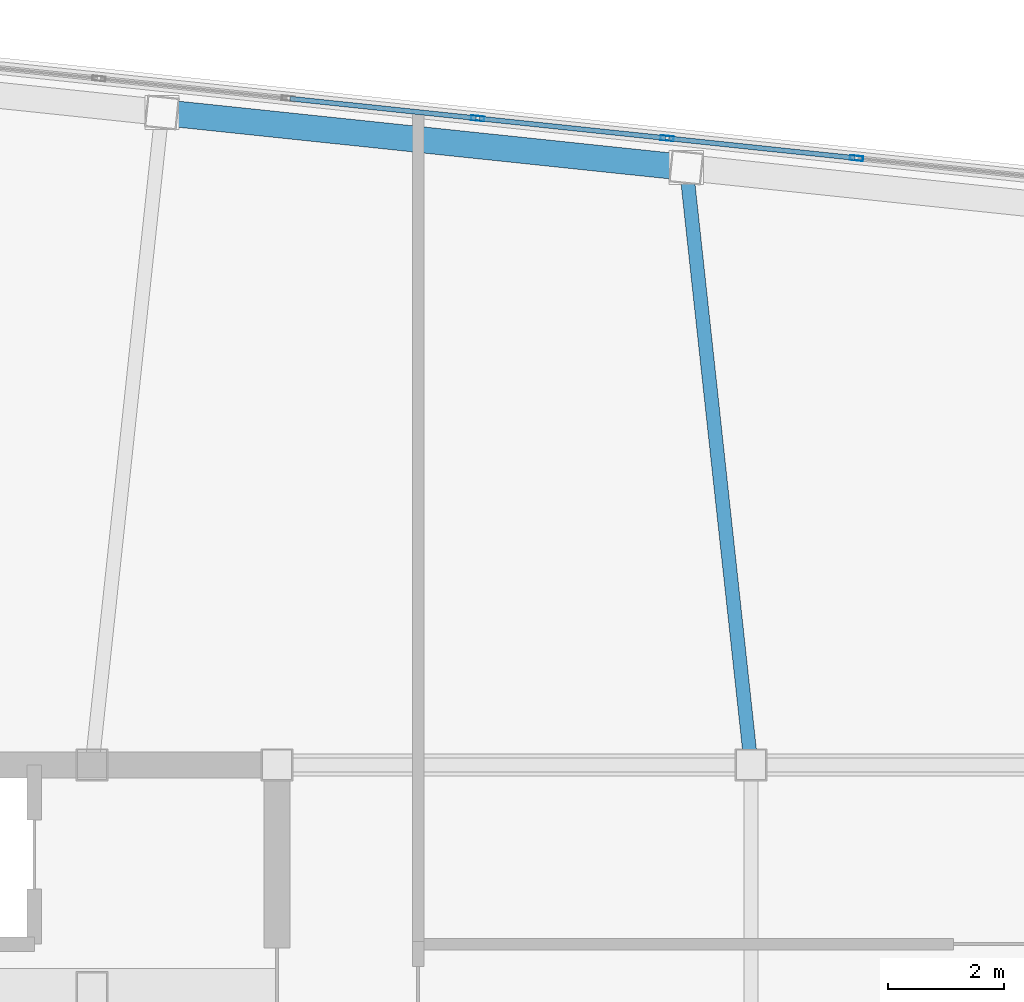
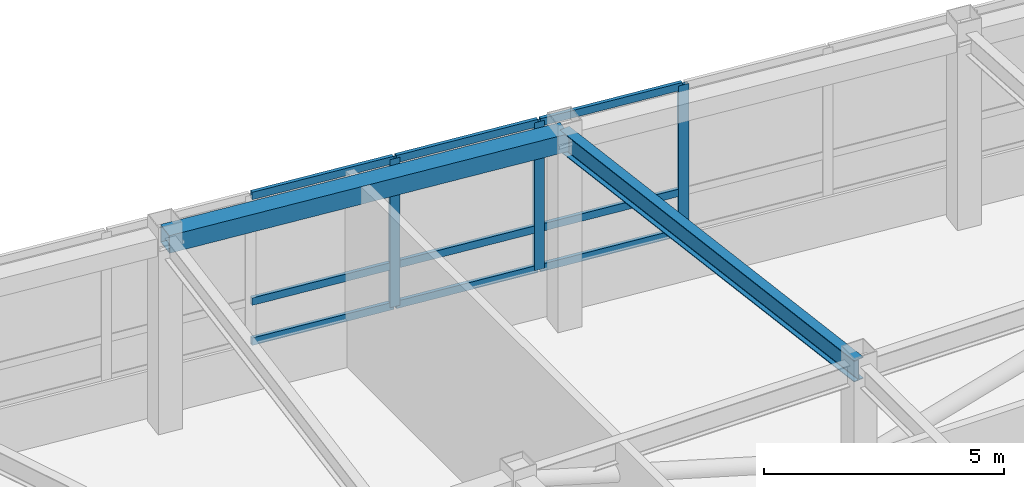
# One storey, part 15 of 21: 12 members, 2 beams, 1 element without a shape of its own.
"""IFC4 building model written with IfcOpenShell, lengths in metres."""

from ifc_helpers import new_model, si_unit, direction, frame, origin, origin_2d, place, context, subcontext, project, spatial, hollow_rectangle, i_section, extrude, material, layer, layer_set, material_profile, profile_set, type_object, element, aggregate, save


model = new_model("IFC4")

# Units and contexts
model_context = context("Model", 3, precision=1e-05, world=origin(), true_north=direction((0.0, 1.0)))
body_context = subcontext(model_context, "Body", "Model", "MODEL_VIEW")
ifc_project = project(units=[si_unit("LENGTHUNIT", "METRE"), si_unit("AREAUNIT", "SQUARE_METRE"), si_unit("VOLUMEUNIT", "CUBIC_METRE"), si_unit("PLANEANGLEUNIT", "RADIAN"), si_unit("MASSUNIT", "GRAM", prefix="KILO")], contexts=[model_context])

# Site, building, storey
site_placement = place(None, origin())
site = spatial("IfcSite", under=ifc_project, at=site_placement, CompositionType="ELEMENT")
building_placement = place(site_placement, origin())
building = spatial("IfcBuilding", under=site, at=building_placement, Name="Voryun Gate Residences", CompositionType="ELEMENT")
storey_placement = place(building_placement, frame((0.0, 0.0, 337.199951171875)))
storey = spatial("IfcBuildingStorey", under=building, at=storey_placement, Name="L82", CompositionType="ELEMENT", Elevation=337.199951171875)

# Beams
ifc_material_1 = material(Name="Steel SM355", Category="steel")
ifc_material_profile_1 = material_profile(ifc_material_1, hollow_rectangle(XDim=0.449951171875, YDim=0.449951171875, WallThickness=0.01806640625, at=origin_2d()), Name="BOX-450x450x18")
ifc_profile_set_1 = profile_set([ifc_material_profile_1], Name="Steel SM355")
beam_type_1 = type_object("IfcBeamType", Name="BM_CROWN_RING", PredefinedType="BEAM", material=ifc_profile_set_1)
beam_1_placement = place(storey_placement, frame((-5.321533203125, 17.731689453125, 4.735107421875), z_axis=(-0.994523919568, 0.104509202498, 0.0), x_axis=(-0.104509202498, -0.994523919568, 0.0)))
element("IfcBeam", 1, at=beam_1_placement, inside=storey, type_object=beam_type_1, Name="BM-L82-SPAND-14", PredefinedType="BEAM", context=body_context, shape_type="SweptSolid", body=[
    extrude(hollow_rectangle(XDim=0.449951171875, YDim=0.449951171875, WallThickness=0.01806640625, at=origin_2d()), origin(), (0.0, 0.0, 1.0), 9.1201171875),
])
ifc_material_2 = material(Name="Steel SM355", Category="steel")
ifc_material_profile_2 = material_profile(ifc_material_2, i_section(OverallWidth=0.239990234375, OverallDepth=0.550048828125, WebThickness=0.011962890625, FlangeThickness=0.02001953125, FilletRadius=0.01806640625, at=origin_2d()), Name="H-550x240x12x20")
ifc_profile_set_2 = profile_set([ifc_material_profile_2], Name="Steel SM355")
beam_type_2 = type_object("IfcBeamType", Name="BM_GIRD_550", PredefinedType="USERDEFINED", material=ifc_profile_set_2)
beam_2_placement = place(storey_placement, frame((-4.199951171875, 7.39990234375, 4.68505859375), z_axis=(-0.107922397085, 0.99415932134, 0.0), x_axis=(-0.99415932134, -0.107922397085, 0.0)))
element("IfcBeam", 2, at=beam_2_placement, inside=storey, type_object=beam_type_2, Name="BM-L82-RAD-N4", ObjectType="GIRDER", PredefinedType="USERDEFINED", context=body_context, shape_type="SweptSolid", body=[
    extrude(i_section(OverallWidth=0.239990234375, OverallDepth=0.550048828125, WebThickness=0.011962890625, FlangeThickness=0.02001953125, FilletRadius=0.01806640625, at=origin_2d()), origin(), (0.0, 0.0, 1.0), 10.392578125),
])

# Curtain wall, members
ifc_material_3 = material(Name="Anodised aluminium", Category="aluminium")
ifc_layer = layer(ifc_material_3, 0.22998046875, Name="CW_SYS_LANTERN_DARK_GLASS")
ifc_layer_set = layer_set([ifc_layer], Name="Anodised aluminium")
curtain_wall_type = type_object("IfcCurtainWallType", Name="CW_SYS_LANTERN_DARK_GLASS", PredefinedType="NOTDEFINED", material=ifc_layer_set)
curtain_wall_placement = place(storey_placement, origin())
curtain_wall = element("IfcCurtainWall", 3, at=curtain_wall_placement, inside=storey, type_object=curtain_wall_type, Name="Curtain wall CW6-L82-11", PredefinedType="NOTDEFINED")
ifc_material_4 = material(Name="Anodised aluminium", Category="aluminium")
ifc_material_profile_3 = material_profile(ifc_material_4, hollow_rectangle(XDim=0.0849609375, YDim=0.22998046875, WallThickness=0.006103515625, at=origin_2d()), Name="ALU-MULL-230x85x6")
ifc_profile_set_3 = profile_set([ifc_material_profile_3], Name="Anodised aluminium")
member_type_1 = type_object("IfcMemberType", Name="CW_MULL_LANT", PredefinedType="MULLION", material=ifc_profile_set_3)
member_1_placement = place(storey_placement, frame((-8.928955078125, 18.583251953125, 1.18994140625), z_axis=(0.0, 0.0, 1.0), x_axis=(0.10452775858, 0.994521969434, 0.0)))
member_1 = element("IfcMember", 4, at=member_1_placement, type_object=member_type_1, Name="CW6 mullion 5", PredefinedType="MULLION", context=body_context, shape_type="SweptSolid", body=[
    extrude(hollow_rectangle(XDim=0.0849609375, YDim=0.22998046875, WallThickness=0.006103515625, at=origin_2d()), origin(), (0.0, 0.0, 1.0), 3.77001953125),
])
member_2_placement = place(storey_placement, frame((-5.65234375, 18.239013671875, 1.18994140625), z_axis=(0.0, 0.0, 1.0), x_axis=(0.10452775858, 0.994521969434, 0.0)))
member_2 = element("IfcMember", 5, at=member_2_placement, type_object=member_type_1, Name="CW6 mullion 6", PredefinedType="MULLION", context=body_context, shape_type="SweptSolid", body=[
    extrude(hollow_rectangle(XDim=0.0849609375, YDim=0.22998046875, WallThickness=0.006103515625, at=origin_2d()), origin(), (0.0, 0.0, 1.0), 3.77001953125),
])
member_3_placement = place(storey_placement, frame((-2.375732421875, 17.89453125, 1.18994140625), z_axis=(0.0, 0.0, 1.0), x_axis=(0.10452775858, 0.994521969434, 0.0)))
member_3 = element("IfcMember", 6, at=member_3_placement, type_object=member_type_1, Name="CW6 mullion 7", PredefinedType="MULLION", context=body_context, shape_type="SweptSolid", body=[
    extrude(hollow_rectangle(XDim=0.0849609375, YDim=0.22998046875, WallThickness=0.006103515625, at=origin_2d()), origin(), (0.0, 0.0, 1.0), 3.77001953125),
])
ifc_material_5 = material(Name="Anodised aluminium", Category="aluminium")
ifc_material_profile_4 = material_profile(ifc_material_5, hollow_rectangle(XDim=0.0849609375, YDim=0.18994140625, WallThickness=0.006103515625, at=origin_2d()), Name="ALU-TRAN-190x85x6")
ifc_profile_set_4 = profile_set([ifc_material_profile_4], Name="Anodised aluminium")
member_type_2 = type_object("IfcMemberType", Name="CW_TRAN_LANT", PredefinedType="USERDEFINED", material=ifc_profile_set_4)
member_4_placement = place(storey_placement, frame((-12.17578125, 18.924560546875, 1.219970703125), z_axis=(0.994521569819, -0.104531560613, 0.0), x_axis=(0.104531560613, 0.994521569819, 0.0)))
member_4 = element("IfcMember", 7, at=member_4_placement, type_object=member_type_2, Name="CW6 transom 4.1", ObjectType="TRANSOM", PredefinedType="USERDEFINED", context=body_context, shape_type="SweptSolid", body=[
    extrude(hollow_rectangle(XDim=0.0849609375, YDim=0.18994140625, WallThickness=0.006103515625, at=origin_2d()), origin(), (0.0, 0.0, 1.0), 3.23486328125),
])
member_5_placement = place(storey_placement, frame((-12.17578125, 18.924560546875, 2.239990234375), z_axis=(0.994521569819, -0.104531560613, 0.0), x_axis=(0.104531560613, 0.994521569819, 0.0)))
member_5 = element("IfcMember", 8, at=member_5_placement, type_object=member_type_2, Name="CW6 transom 4.2", ObjectType="TRANSOM", PredefinedType="USERDEFINED", context=body_context, shape_type="SweptSolid", body=[
    extrude(hollow_rectangle(XDim=0.0849609375, YDim=0.18994140625, WallThickness=0.006103515625, at=origin_2d()), origin(), (0.0, 0.0, 1.0), 3.23486328125),
])
member_6_placement = place(storey_placement, frame((-12.17578125, 18.924560546875, 4.929931640625), z_axis=(0.994521569819, -0.104531560613, 0.0), x_axis=(0.104531560613, 0.994521569819, 0.0)))
member_6 = element("IfcMember", 9, at=member_6_placement, type_object=member_type_2, Name="CW6 transom 4.3", ObjectType="TRANSOM", PredefinedType="USERDEFINED", context=body_context, shape_type="SweptSolid", body=[
    extrude(hollow_rectangle(XDim=0.0849609375, YDim=0.18994140625, WallThickness=0.006103515625, at=origin_2d()), origin(), (0.0, 0.0, 1.0), 3.23486328125),
])
member_7_placement = place(storey_placement, frame((-8.899169921875, 18.580322265625, 1.219970703125), z_axis=(0.994521569819, -0.104531560613, 0.0), x_axis=(0.104531560613, 0.994521569819, 0.0)))
member_7 = element("IfcMember", 10, at=member_7_placement, type_object=member_type_2, Name="CW6 transom 5.1", ObjectType="TRANSOM", PredefinedType="USERDEFINED", context=body_context, shape_type="SweptSolid", body=[
    extrude(hollow_rectangle(XDim=0.0849609375, YDim=0.18994140625, WallThickness=0.006103515625, at=origin_2d()), origin(), (0.0, 0.0, 1.0), 3.23486328125),
])
member_8_placement = place(storey_placement, frame((-8.899169921875, 18.580322265625, 2.239990234375), z_axis=(0.994521569819, -0.104531560613, 0.0), x_axis=(0.104531560613, 0.994521569819, 0.0)))
member_8 = element("IfcMember", 11, at=member_8_placement, type_object=member_type_2, Name="CW6 transom 5.2", ObjectType="TRANSOM", PredefinedType="USERDEFINED", context=body_context, shape_type="SweptSolid", body=[
    extrude(hollow_rectangle(XDim=0.0849609375, YDim=0.18994140625, WallThickness=0.006103515625, at=origin_2d()), origin(), (0.0, 0.0, 1.0), 3.23486328125),
])
member_9_placement = place(storey_placement, frame((-8.899169921875, 18.580322265625, 4.929931640625), z_axis=(0.994521569819, -0.104531560613, 0.0), x_axis=(0.104531560613, 0.994521569819, 0.0)))
member_9 = element("IfcMember", 12, at=member_9_placement, type_object=member_type_2, Name="CW6 transom 5.3", ObjectType="TRANSOM", PredefinedType="USERDEFINED", context=body_context, shape_type="SweptSolid", body=[
    extrude(hollow_rectangle(XDim=0.0849609375, YDim=0.18994140625, WallThickness=0.006103515625, at=origin_2d()), origin(), (0.0, 0.0, 1.0), 3.23486328125),
])
member_10_placement = place(storey_placement, frame((-5.62255859375, 18.23583984375, 1.219970703125), z_axis=(0.994521569819, -0.104531560613, 0.0), x_axis=(0.104531560613, 0.994521569819, 0.0)))
member_10 = element("IfcMember", 13, at=member_10_placement, type_object=member_type_2, Name="CW6 transom 6.1", ObjectType="TRANSOM", PredefinedType="USERDEFINED", context=body_context, shape_type="SweptSolid", body=[
    extrude(hollow_rectangle(XDim=0.0849609375, YDim=0.18994140625, WallThickness=0.006103515625, at=origin_2d()), origin(), (0.0, 0.0, 1.0), 3.23486328125),
])
member_11_placement = place(storey_placement, frame((-5.62255859375, 18.23583984375, 2.239990234375), z_axis=(0.994521569819, -0.104531560613, 0.0), x_axis=(0.104531560613, 0.994521569819, 0.0)))
member_11 = element("IfcMember", 14, at=member_11_placement, type_object=member_type_2, Name="CW6 transom 6.2", ObjectType="TRANSOM", PredefinedType="USERDEFINED", context=body_context, shape_type="SweptSolid", body=[
    extrude(hollow_rectangle(XDim=0.0849609375, YDim=0.18994140625, WallThickness=0.006103515625, at=origin_2d()), origin(), (0.0, 0.0, 1.0), 3.23486328125),
])
member_12_placement = place(storey_placement, frame((-5.62255859375, 18.23583984375, 4.929931640625), z_axis=(0.994521569819, -0.104531560613, 0.0), x_axis=(0.104531560613, 0.994521569819, 0.0)))
member_12 = element("IfcMember", 15, at=member_12_placement, type_object=member_type_2, Name="CW6 transom 6.3", ObjectType="TRANSOM", PredefinedType="USERDEFINED", context=body_context, shape_type="SweptSolid", body=[
    extrude(hollow_rectangle(XDim=0.0849609375, YDim=0.18994140625, WallThickness=0.006103515625, at=origin_2d()), origin(), (0.0, 0.0, 1.0), 3.23486328125),
])
aggregate(curtain_wall, [member_1, member_2, member_3, member_4, member_5, member_6, member_7, member_8, member_9, member_10, member_11, member_12])

save(model, "model.ifc")
